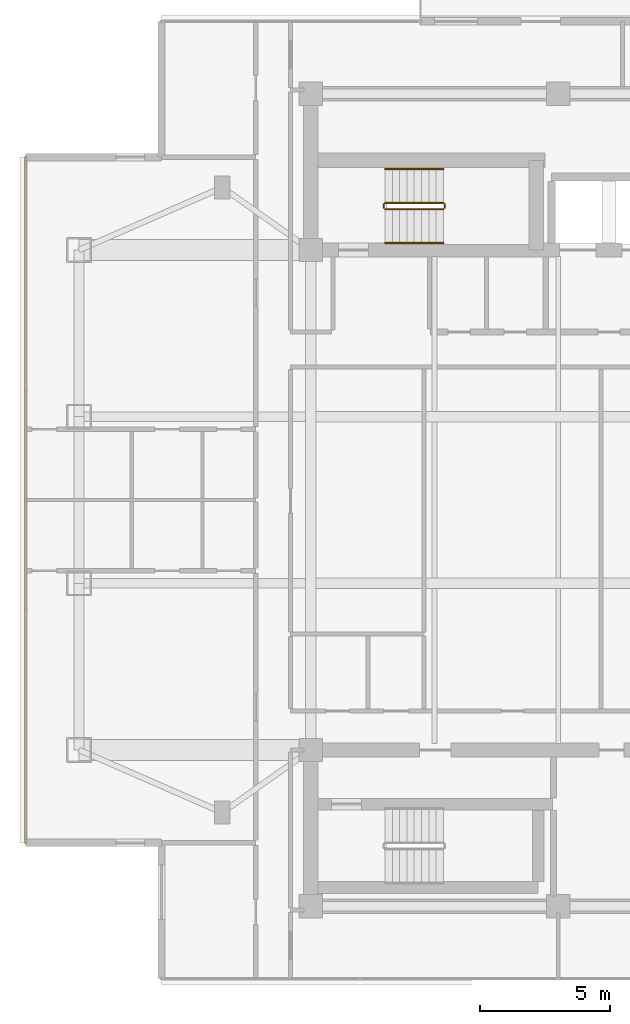
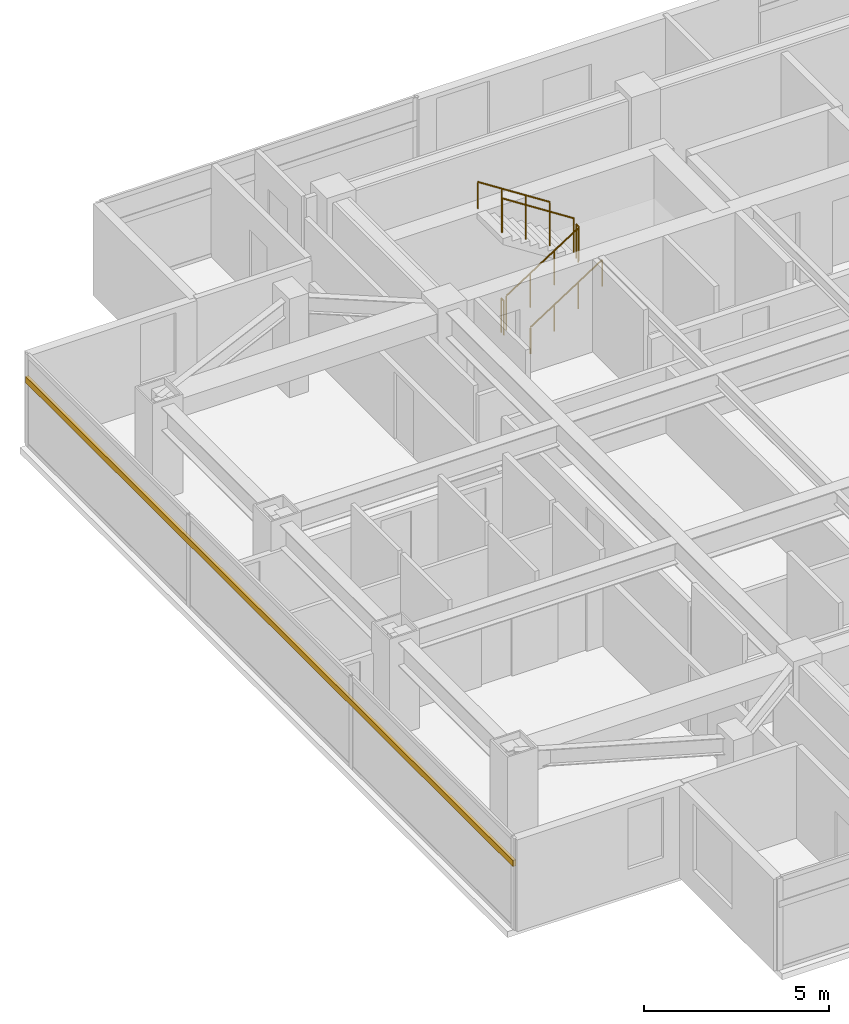
# One storey, part 20 of 24: 6 railings, 1 shading device.
"""IFC4 building model written with IfcOpenShell, lengths in metres."""

from ifc_helpers import new_model, si_unit, direction, frame, origin, origin_2d, place, context, subcontext, project, spatial, rectangle, circle, extrude, material, material_profile, profile_set, type_object, element, save


model = new_model("IFC4")

# Units and contexts
model_context = context("Model", 3, precision=1e-05, world=origin(), true_north=direction((0.0, 1.0)))
body_context = subcontext(model_context, "Body", "Model", "MODEL_VIEW")
ifc_project = project(units=[si_unit("LENGTHUNIT", "METRE"), si_unit("AREAUNIT", "SQUARE_METRE"), si_unit("VOLUMEUNIT", "CUBIC_METRE"), si_unit("PLANEANGLEUNIT", "RADIAN"), si_unit("MASSUNIT", "GRAM", prefix="KILO")], contexts=[model_context])

# Site, building, storey
site_placement = place(None, origin())
site = spatial("IfcSite", under=ifc_project, at=site_placement, CompositionType="ELEMENT")
building_placement = place(site_placement, origin())
building = spatial("IfcBuilding", under=site, at=building_placement, Name="Mirazonda Arch Towers", CompositionType="ELEMENT")
storey_placement = place(building_placement, frame((0.0, 0.0, 196.64990234375)))
storey = spatial("IfcBuildingStorey", under=building, at=storey_placement, Name="L56", CompositionType="ELEMENT", Elevation=196.64990234375)

# Shading device
ifc_material_1 = material(Name="Kiln-Fired Architectural Terracotta", Category="masonry")
ifc_material_profile = material_profile(ifc_material_1, rectangle(XDim=0.10009765625, YDim=0.199951171875, at=origin_2d()), Name="TERRA-BAG-100x200")
ifc_profile_set = profile_set([ifc_material_profile], Name="Kiln-Fired Architectural Terracotta")
shading_device_type = type_object("IfcShadingDeviceType", Name="BAGUETTE-2", PredefinedType="USERDEFINED", material=ifc_profile_set)
shading_device_placement = place(storey_placement, frame((0.050048828125, 41.1669921875, 2.181640625), z_axis=(0.0, -1.0, 0.0), x_axis=(1.0, 0.0, 0.0)))
element("IfcShadingDevice", 1, at=shading_device_placement, inside=storey, type_object=shading_device_type, Name="L56 Glazed Terracotta Sun-Screen Baguette CW-L56-T1-W", ObjectType="BAGUETTE", PredefinedType="USERDEFINED", context=body_context, shape_type="SweptSolid", body=[
    extrude(rectangle(XDim=0.10009765625, YDim=0.199951171875, at=origin_2d()), origin(), (0.0, 0.0, 1.0), 26.333984375),
])

# Railings
ifc_material_2 = material(Name="Architectural Brushed Steel S355", Category="steel")
railing_type_1 = type_object("IfcRailingType", Name="GUARD-STAIR-1120", PredefinedType="GUARDRAIL", material=ifc_material_2)
railing_1_placement = place(storey_placement, frame((13.85009765625, 39.169921875, 0.1806640625)))
element("IfcRailing", 2, at=railing_1_placement, inside=storey, type_object=railing_type_1, Name="L56 ST-T1N stair guard 1", PredefinedType="GUARDRAIL", context=body_context, shape_type="SweptSolid", body=[
    extrude(circle(Radius=0.02392578125, at=origin_2d()), frame((0.0, 0.0, 1.1259765625), z_axis=(0.840436612492, 0.0, 0.541909863706), x_axis=(0.0, 1.0, 0.0)), (0.0, 0.0, 1.0), 2.665283203125),
    extrude(circle(Radius=0.02099609375, at=origin_2d()), origin(), (0.0, 0.0, 1.0), 1.101806640625),
    extrude(circle(Radius=0.02099609375, at=origin_2d()), frame((0.74658203125, 0.0, 0.4814453125)), (0.0, 0.0, 1.0), 1.101806640625),
    extrude(circle(Radius=0.02099609375, at=origin_2d()), frame((1.493408203125, 0.0, 0.962890625)), (0.0, 0.0, 1.0), 1.101806640625),
    extrude(circle(Radius=0.02099609375, at=origin_2d()), frame((2.239990234375, 0.0, 1.4443359375)), (0.0, 0.0, 1.0), 1.101806640625),
])
railing_2_placement = place(storey_placement, frame((16.139892578125, 39.219970703125, 1.625)))
element("IfcRailing", 3, at=railing_2_placement, inside=storey, type_object=railing_type_1, Name="L56 ST-T1N stair guard 2", PredefinedType="GUARDRAIL", context=body_context, shape_type="SweptSolid", body=[
    extrude(circle(Radius=0.02392578125, at=origin_2d()), frame((0.0, 0.0, 1.1259765625), z_axis=(0.0, 1.0, 0.0), x_axis=(-1.0, 0.0, 0.0)), (0.0, 0.0, 1.0), 0.14013671875),
    extrude(circle(Radius=0.02099609375, at=origin_2d()), origin(), (0.0, 0.0, 1.0), 1.101806640625),
    extrude(circle(Radius=0.02099609375, at=origin_2d()), frame((0.0, 0.14013671875, 0.0)), (0.0, 0.0, 1.0), 1.101806640625),
])
railing_3_placement = place(storey_placement, frame((16.090087890625, 39.409912109375, 1.8056640625)))
element("IfcRailing", 4, at=railing_3_placement, inside=storey, type_object=railing_type_1, Name="L56 ST-T1N stair guard 3", PredefinedType="GUARDRAIL", context=body_context, shape_type="SweptSolid", body=[
    extrude(circle(Radius=0.02392578125, at=origin_2d()), frame((0.0, 0.0, 1.1259765625), z_axis=(-0.840436612492, 0.0, 0.541909863706), x_axis=(0.0, -1.0, 0.0)), (0.0, 0.0, 1.0), 2.665283203125),
    extrude(circle(Radius=0.02099609375, at=origin_2d()), origin(), (0.0, 0.0, 1.0), 1.101806640625),
    extrude(circle(Radius=0.02099609375, at=origin_2d()), frame((-0.74658203125, 0.0, 0.4814453125)), (0.0, 0.0, 1.0), 1.101806640625),
    extrude(circle(Radius=0.02099609375, at=origin_2d()), frame((-1.493408203125, 0.0, 0.962890625)), (0.0, 0.0, 1.0), 1.101806640625),
    extrude(circle(Radius=0.02099609375, at=origin_2d()), frame((-2.239990234375, 0.0, 1.4443359375)), (0.0, 0.0, 1.0), 1.101806640625),
])
railing_4_placement = place(storey_placement, frame((13.800048828125, 39.219970703125, 0.0)))
element("IfcRailing", 5, at=railing_4_placement, inside=storey, type_object=railing_type_1, Name="L56 ST-T1N stair guard 4", PredefinedType="GUARDRAIL", context=body_context, shape_type="SweptSolid", body=[
    extrude(circle(Radius=0.02392578125, at=origin_2d()), frame((0.0, 0.0, 1.1259765625), z_axis=(0.0, 1.0, 0.0), x_axis=(-1.0, 0.0, 0.0)), (0.0, 0.0, 1.0), 0.14013671875),
    extrude(circle(Radius=0.02099609375, at=origin_2d()), origin(), (0.0, 0.0, 1.0), 1.101806640625),
    extrude(circle(Radius=0.02099609375, at=origin_2d()), frame((0.0, 0.14013671875, 0.0)), (0.0, 0.0, 1.0), 1.101806640625),
])
railing_type_2 = type_object("IfcRailingType", Name="HANDRAIL-915", PredefinedType="HANDRAIL", material=ifc_material_2)
railing_5_placement = place(storey_placement, frame((13.85009765625, 37.8701171875, 0.1806640625)))
element("IfcRailing", 6, at=railing_5_placement, inside=storey, type_object=railing_type_2, Name="L56 ST-T1N stair handrail 1", PredefinedType="HANDRAIL", context=body_context, shape_type="SweptSolid", body=[
    extrude(circle(Radius=0.02392578125, at=origin_2d()), frame((0.0, 0.0, 0.8759765625), z_axis=(0.840436612492, 0.0, 0.541909863706), x_axis=(0.0, 1.0, 0.0)), (0.0, 0.0, 1.0), 2.665283203125),
    extrude(circle(Radius=0.02099609375, at=origin_2d()), origin(), (0.0, 0.0, 1.0), 0.851806640625),
    extrude(circle(Radius=0.02099609375, at=origin_2d()), frame((0.74658203125, 0.0, 0.4814453125)), (0.0, 0.0, 1.0), 0.851806640625),
    extrude(circle(Radius=0.02099609375, at=origin_2d()), frame((1.493408203125, 0.0, 0.962890625)), (0.0, 0.0, 1.0), 0.851806640625),
    extrude(circle(Radius=0.02099609375, at=origin_2d()), frame((2.239990234375, 0.0, 1.4443359375)), (0.0, 0.0, 1.0), 0.851806640625),
])
railing_6_placement = place(storey_placement, frame((16.090087890625, 40.7099609375, 1.8056640625)))
element("IfcRailing", 7, at=railing_6_placement, inside=storey, type_object=railing_type_2, Name="L56 ST-T1N stair handrail 2", PredefinedType="HANDRAIL", context=body_context, shape_type="SweptSolid", body=[
    extrude(circle(Radius=0.02392578125, at=origin_2d()), frame((0.0, 0.0, 0.8759765625), z_axis=(-0.840436612492, 0.0, 0.541909863706), x_axis=(0.0, -1.0, 0.0)), (0.0, 0.0, 1.0), 2.665283203125),
    extrude(circle(Radius=0.02099609375, at=origin_2d()), origin(), (0.0, 0.0, 1.0), 0.851806640625),
    extrude(circle(Radius=0.02099609375, at=origin_2d()), frame((-0.74658203125, 0.0, 0.4814453125)), (0.0, 0.0, 1.0), 0.851806640625),
    extrude(circle(Radius=0.02099609375, at=origin_2d()), frame((-1.493408203125, 0.0, 0.962890625)), (0.0, 0.0, 1.0), 0.851806640625),
    extrude(circle(Radius=0.02099609375, at=origin_2d()), frame((-2.239990234375, 0.0, 1.4443359375)), (0.0, 0.0, 1.0), 0.851806640625),
])

save(model, "model.ifc")
